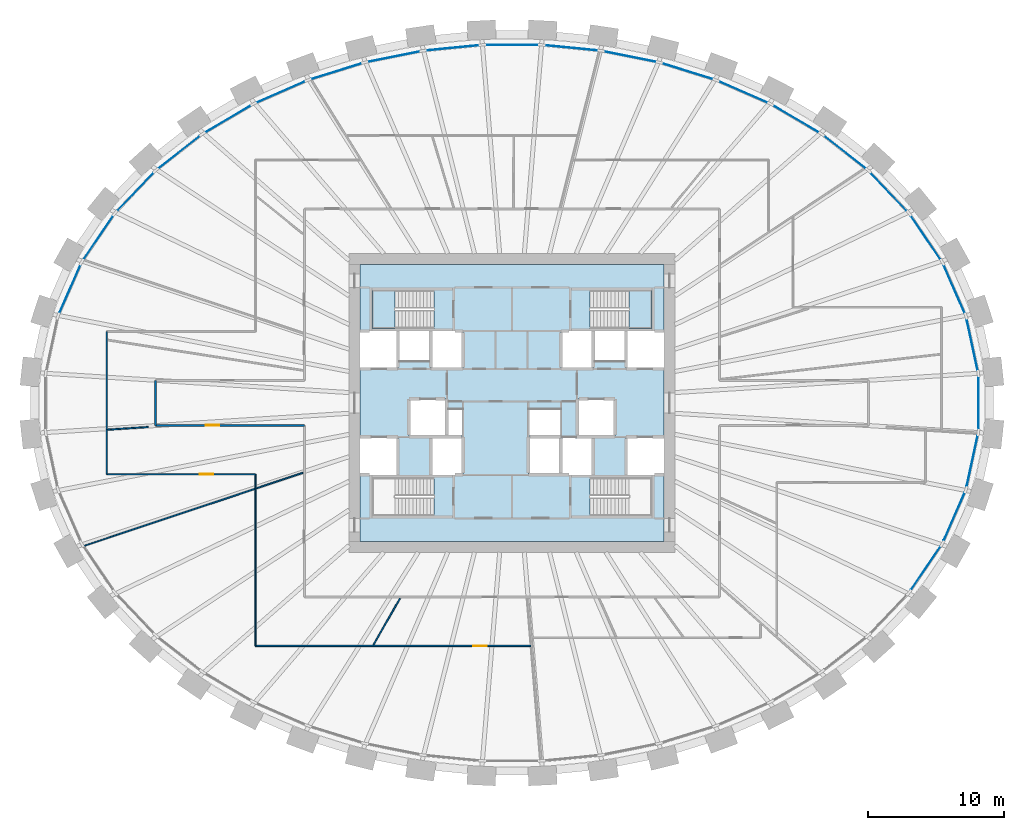
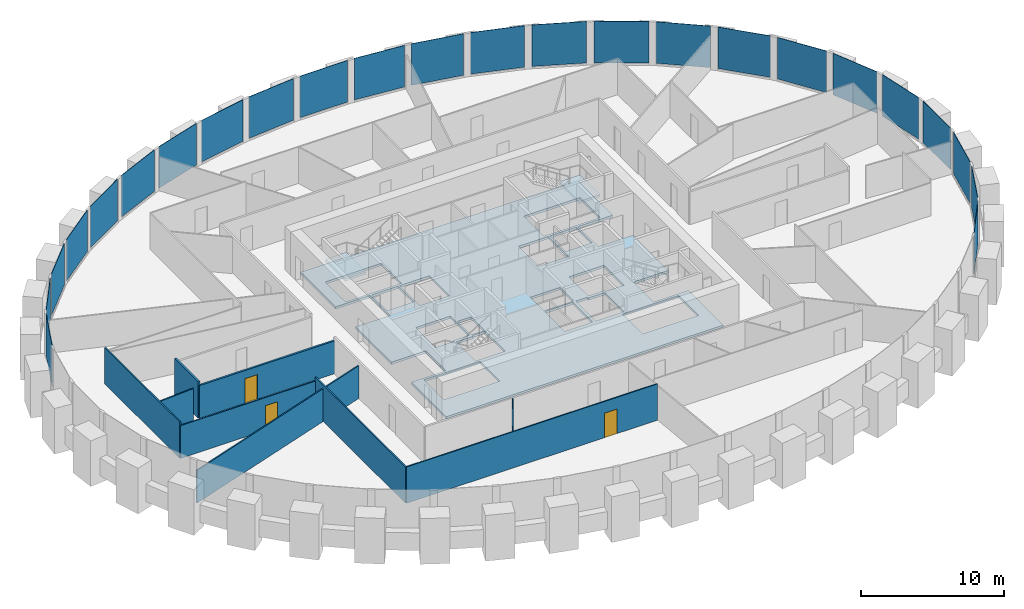
# One storey, part 5 of 11: 24 plates, 9 walls, 3 doors, 3 slabs, 3 openings, 3 elements without a shape of their own.
"""IFC4 building model written with IfcOpenShell, lengths in metres."""

from ifc_helpers import new_model, si_unit, direction, frame, frame_2d, origin, origin_2d, place, context, subcontext, project, spatial, polyline, rectangle, outline, extrude, source, transform, mapped, material, layer, layer_set, type_object, element, fill, aggregate, save


model = new_model("IFC4")

# Units and contexts
model_context = context("Model", 3, precision=1e-05, world=origin(), true_north=direction((0.0, 1.0)))
body_context = subcontext(model_context, "Body", "Model", "MODEL_VIEW")
ifc_project = project(units=[si_unit("LENGTHUNIT", "METRE"), si_unit("AREAUNIT", "SQUARE_METRE"), si_unit("VOLUMEUNIT", "CUBIC_METRE"), si_unit("PLANEANGLEUNIT", "RADIAN"), si_unit("MASSUNIT", "GRAM", prefix="KILO")], contexts=[model_context])

# Site, building, storey
site_placement = place(None, origin())
site = spatial("IfcSite", under=ifc_project, at=site_placement, CompositionType="ELEMENT")
building_placement = place(site_placement, origin())
building = spatial("IfcBuilding", under=site, at=building_placement, Name="Embergate Tower", CompositionType="ELEMENT")
storey_placement = place(building_placement, frame((0.0, 0.0, 211.199951171875)))
storey = spatial("IfcBuildingStorey", under=building, at=storey_placement, Name="L48", CompositionType="ELEMENT", Elevation=211.199951171875)

# Curtain wall, plates
ifc_material_1 = material(Name="Aluminium and glass", Category="aluminium")
curtain_wall_type = type_object("IfcCurtainWallType", Name="Recessed office glazing", PredefinedType="NOTDEFINED", material=ifc_material_1)
curtain_wall_placement = place(storey_placement, origin())
curtain_wall = element("IfcCurtainWall", 1, at=curtain_wall_placement, inside=storey, type_object=curtain_wall_type, Name="Recessed office glazing ring", ObjectType="RECESSED OFFICE GLAZING", PredefinedType="USERDEFINED")
ifc_material_2 = material(Name="Triple glazing, low-emissivity coating", Category="glass")
ifc_layer_1 = layer(ifc_material_2, 0.035888671875)
ifc_layer_set_1 = layer_set([ifc_layer_1], Name="Triple glazing, low-emissivity coating")
plate_type = type_object("IfcPlateType", Name="Office glazing unit", PredefinedType="CURTAIN_PANEL", material=ifc_layer_set_1)
shared_shape_1 = source(origin(), body_context, "Body", "SweptSolid", [
    extrude(rectangle(XDim=3.813232421875, YDim=0.035888671875, at=origin_2d()), origin(), (0.0, 0.0, 1.0), 3.550048828125),
])
plate_1_placement = place(storey_placement, frame((33.897216796875, 4.283447265625, 0.14990234375), z_axis=(0.0, 0.0, 1.0), x_axis=(-0.210394978653, 0.977616465163, 0.0)))
plate_1 = element("IfcPlate", 2, at=plate_1_placement, type_object=plate_type, Name="CW panel 1.1", PredefinedType="CURTAIN_PANEL", context=body_context, shape_type="MappedRepresentation", body=[
    mapped(shared_shape_1, transform((0.0, 0.0, 0.0))),
])
plate_2_placement = place(storey_placement, frame((33.897216796875, -4.283447265625, 0.14990234375), z_axis=(0.0, 0.0, 1.0), x_axis=(0.210394978653, 0.977616465163, 0.0)))
plate_2 = element("IfcPlate", 3, at=plate_2_placement, type_object=plate_type, Name="CW panel 43.1", PredefinedType="CURTAIN_PANEL", context=body_context, shape_type="MappedRepresentation", body=[
    mapped(shared_shape_1, transform((0.0, 0.0, 0.0))),
])
shared_shape_2 = source(origin(), body_context, "Body", "SweptSolid", [
    extrude(rectangle(XDim=3.820068359375, YDim=0.035888671875, at=origin_2d()), origin(), (0.0, 0.0, 1.0), 3.550048828125),
])
plate_3_placement = place(storey_placement, frame((32.569580078125, 8.388916015625, 0.14990234375), z_axis=(0.0, 0.0, 1.0), x_axis=(-0.401648904437, 0.915793730905, 0.0)))
plate_3 = element("IfcPlate", 4, at=plate_3_placement, type_object=plate_type, Name="CW panel 2.1", PredefinedType="CURTAIN_PANEL", context=body_context, shape_type="MappedRepresentation", body=[
    mapped(shared_shape_2, transform((0.0, 0.0, 0.0))),
])
plate_4_placement = place(storey_placement, frame((-32.569580078125, 8.388916015625, 0.14990234375), z_axis=(0.0, 0.0, 1.0), x_axis=(-0.401648904437, -0.915793730905, 0.0)))
plate_4 = element("IfcPlate", 5, at=plate_4_placement, type_object=plate_type, Name="CW panel 20.1", PredefinedType="CURTAIN_PANEL", context=body_context, shape_type="MappedRepresentation", body=[
    mapped(shared_shape_2, transform((0.0, 0.0, 0.0))),
])
plate_5_placement = place(storey_placement, frame((32.569580078125, -8.388916015625, 0.14990234375), z_axis=(0.0, 0.0, 1.0), x_axis=(0.401648904437, 0.915793730905, 0.0)))
plate_5 = element("IfcPlate", 6, at=plate_5_placement, type_object=plate_type, Name="CW panel 42.1", PredefinedType="CURTAIN_PANEL", context=body_context, shape_type="MappedRepresentation", body=[
    mapped(shared_shape_2, transform((0.0, 0.0, 0.0))),
])
shared_shape_3 = source(origin(), body_context, "Body", "SweptSolid", [
    extrude(rectangle(XDim=3.828857421875, YDim=0.035888671875, at=origin_2d()), origin(), (0.0, 0.0, 1.0), 3.550048828125),
])
plate_6_placement = place(storey_placement, frame((30.475341796875, 12.17431640625, 0.14990234375), z_axis=(0.0, 0.0, 1.0), x_axis=(-0.562337412243, 0.826907875638, 0.0)))
plate_6 = element("IfcPlate", 7, at=plate_6_placement, type_object=plate_type, Name="CW panel 3.1", PredefinedType="CURTAIN_PANEL", context=body_context, shape_type="MappedRepresentation", body=[
    mapped(shared_shape_3, transform((0.0, 0.0, 0.0))),
])
plate_7_placement = place(storey_placement, frame((-30.475341796875, 12.17431640625, 0.14990234375), z_axis=(0.0, 0.0, 1.0), x_axis=(-0.562337412243, -0.826907875638, 0.0)))
plate_7 = element("IfcPlate", 8, at=plate_7_placement, type_object=plate_type, Name="CW panel 19.1", PredefinedType="CURTAIN_PANEL", context=body_context, shape_type="MappedRepresentation", body=[
    mapped(shared_shape_3, transform((0.0, 0.0, 0.0))),
])
plate_8_placement = place(storey_placement, frame((30.475341796875, -12.17431640625, 0.14990234375), z_axis=(0.0, 0.0, 1.0), x_axis=(0.562337412243, 0.826907875638, 0.0)))
plate_8 = element("IfcPlate", 9, at=plate_8_placement, type_object=plate_type, Name="CW panel 41.1", PredefinedType="CURTAIN_PANEL", context=body_context, shape_type="MappedRepresentation", body=[
    mapped(shared_shape_3, transform((0.0, 0.0, 0.0))),
])
shared_shape_4 = source(origin(), body_context, "Body", "SweptSolid", [
    extrude(rectangle(XDim=3.83740234375, YDim=0.035888671875, at=origin_2d()), origin(), (0.0, 0.0, 1.0), 3.550048828125),
])
plate_9_placement = place(storey_placement, frame((27.748779296875, 15.549072265625, 0.14990234375), z_axis=(0.0, 0.0, 1.0), x_axis=(-0.690128732196, 0.72368662624, 0.0)))
plate_9 = element("IfcPlate", 10, at=plate_9_placement, type_object=plate_type, Name="CW panel 4.1", PredefinedType="CURTAIN_PANEL", context=body_context, shape_type="MappedRepresentation", body=[
    mapped(shared_shape_4, transform((0.0, 0.0, 0.0))),
])
plate_10_placement = place(storey_placement, frame((-27.748779296875, 15.549072265625, 0.14990234375), z_axis=(0.0, 0.0, 1.0), x_axis=(-0.690128732196, -0.72368662624, 0.0)))
plate_10 = element("IfcPlate", 11, at=plate_10_placement, type_object=plate_type, Name="CW panel 18.1", PredefinedType="CURTAIN_PANEL", context=body_context, shape_type="MappedRepresentation", body=[
    mapped(shared_shape_4, transform((0.0, 0.0, 0.0))),
])
shared_shape_5 = source(origin(), body_context, "Body", "SweptSolid", [
    extrude(rectangle(XDim=3.844970703125, YDim=0.035888671875, at=origin_2d()), origin(), (0.0, 0.0, 1.0), 3.550048828125),
])
plate_11_placement = place(storey_placement, frame((24.52490234375, 18.468505859375, 0.14990234375), z_axis=(0.0, 0.0, 1.0), x_axis=(-0.788315823873, 0.615270803656, 0.0)))
plate_11 = element("IfcPlate", 12, at=plate_11_placement, type_object=plate_type, Name="CW panel 5.1", PredefinedType="CURTAIN_PANEL", context=body_context, shape_type="MappedRepresentation", body=[
    mapped(shared_shape_5, transform((0.0, 0.0, 0.0))),
])
plate_12_placement = place(storey_placement, frame((-24.52490234375, 18.468505859375, 0.14990234375), z_axis=(0.0, 0.0, 1.0), x_axis=(-0.788315823873, -0.615270803656, 0.0)))
plate_12 = element("IfcPlate", 13, at=plate_12_placement, type_object=plate_type, Name="CW panel 17.1", PredefinedType="CURTAIN_PANEL", context=body_context, shape_type="MappedRepresentation", body=[
    mapped(shared_shape_5, transform((0.0, 0.0, 0.0))),
])
shared_shape_6 = source(origin(), body_context, "Body", "SweptSolid", [
    extrude(rectangle(XDim=3.850830078125, YDim=0.035888671875, at=origin_2d()), origin(), (0.0, 0.0, 1.0), 3.550048828125),
])
plate_13_placement = place(storey_placement, frame((20.920654296875, 20.9189453125, 0.14990234375), z_axis=(0.0, 0.0, 1.0), x_axis=(-0.862049629534, 0.506823871004, 0.0)))
plate_13 = element("IfcPlate", 14, at=plate_13_placement, type_object=plate_type, Name="CW panel 6.1", PredefinedType="CURTAIN_PANEL", context=body_context, shape_type="MappedRepresentation", body=[
    mapped(shared_shape_6, transform((0.0, 0.0, 0.0))),
])
plate_14_placement = place(storey_placement, frame((-20.920654296875, 20.9189453125, 0.14990234375), z_axis=(0.0, 0.0, 1.0), x_axis=(-0.862049629534, -0.506823871004, 0.0)))
plate_14 = element("IfcPlate", 15, at=plate_14_placement, type_object=plate_type, Name="CW panel 16.1", PredefinedType="CURTAIN_PANEL", context=body_context, shape_type="MappedRepresentation", body=[
    mapped(shared_shape_6, transform((0.0, 0.0, 0.0))),
])
shared_shape_7 = source(origin(), body_context, "Body", "SweptSolid", [
    extrude(rectangle(XDim=3.855224609375, YDim=0.035888671875, at=origin_2d()), origin(), (0.0, 0.0, 1.0), 3.550048828125),
])
plate_15_placement = place(storey_placement, frame((17.0322265625, 22.903076171875, 0.14990234375), z_axis=(0.0, 0.0, 1.0), x_axis=(-0.916233414734, 0.400644892298, 0.0)))
plate_15 = element("IfcPlate", 16, at=plate_15_placement, type_object=plate_type, Name="CW panel 7.1", PredefinedType="CURTAIN_PANEL", context=body_context, shape_type="MappedRepresentation", body=[
    mapped(shared_shape_7, transform((0.0, 0.0, 0.0))),
])
plate_16_placement = place(storey_placement, frame((-17.0322265625, 22.903076171875, 0.14990234375), z_axis=(0.0, 0.0, 1.0), x_axis=(-0.916233414734, -0.400644892298, 0.0)))
plate_16 = element("IfcPlate", 17, at=plate_16_placement, type_object=plate_type, Name="CW panel 15.1", PredefinedType="CURTAIN_PANEL", context=body_context, shape_type="MappedRepresentation", body=[
    mapped(shared_shape_7, transform((0.0, 0.0, 0.0))),
])
shared_shape_8 = source(origin(), body_context, "Body", "SweptSolid", [
    extrude(rectangle(XDim=3.8583984375, YDim=0.035888671875, at=origin_2d()), origin(), (0.0, 0.0, 1.0), 3.550048828125),
])
plate_17_placement = place(storey_placement, frame((12.9375, 24.430419921875, 0.14990234375), z_axis=(0.0, 0.0, 1.0), x_axis=(-0.954770660302, 0.297343212847, 0.0)))
plate_17 = element("IfcPlate", 18, at=plate_17_placement, type_object=plate_type, Name="CW panel 8.1", PredefinedType="CURTAIN_PANEL", context=body_context, shape_type="MappedRepresentation", body=[
    mapped(shared_shape_8, transform((0.0, 0.0, 0.0))),
])
plate_18_placement = place(storey_placement, frame((-12.9375, 24.430419921875, 0.14990234375), z_axis=(0.0, 0.0, 1.0), x_axis=(-0.954770660302, -0.297343212847, 0.0)))
plate_18 = element("IfcPlate", 19, at=plate_18_placement, type_object=plate_type, Name="CW panel 14.1", PredefinedType="CURTAIN_PANEL", context=body_context, shape_type="MappedRepresentation", body=[
    mapped(shared_shape_8, transform((0.0, 0.0, 0.0))),
])
shared_shape_9 = source(origin(), body_context, "Body", "SweptSolid", [
    extrude(rectangle(XDim=3.860595703125, YDim=0.035888671875, at=origin_2d()), origin(), (0.0, 0.0, 1.0), 3.550048828125),
])
plate_19_placement = place(storey_placement, frame((8.69970703125, 25.51220703125, 0.14990234375), z_axis=(0.0, 0.0, 1.0), x_axis=(-0.980475221003, 0.196642673395, 0.0)))
plate_19 = element("IfcPlate", 20, at=plate_19_placement, type_object=plate_type, Name="CW panel 9.1", PredefinedType="CURTAIN_PANEL", context=body_context, shape_type="MappedRepresentation", body=[
    mapped(shared_shape_9, transform((0.0, 0.0, 0.0))),
])
plate_20_placement = place(storey_placement, frame((-8.69970703125, 25.51220703125, 0.14990234375), z_axis=(0.0, 0.0, 1.0), x_axis=(-0.980475221003, -0.196642673395, 0.0)))
plate_20 = element("IfcPlate", 21, at=plate_20_placement, type_object=plate_type, Name="CW panel 13.1", PredefinedType="CURTAIN_PANEL", context=body_context, shape_type="MappedRepresentation", body=[
    mapped(shared_shape_9, transform((0.0, 0.0, 0.0))),
])
shared_shape_10 = source(origin(), body_context, "Body", "SweptSolid", [
    extrude(rectangle(XDim=3.862060546875, YDim=0.035888671875, at=origin_2d()), origin(), (0.0, 0.0, 1.0), 3.550048828125),
])
plate_21_placement = place(storey_placement, frame((4.37158203125, 26.1572265625, 0.14990234375), z_axis=(0.0, 0.0, 1.0), x_axis=(-0.995203014042, 0.097831287645, 0.0)))
plate_21 = element("IfcPlate", 22, at=plate_21_placement, type_object=plate_type, Name="CW panel 10.1", PredefinedType="CURTAIN_PANEL", context=body_context, shape_type="MappedRepresentation", body=[
    mapped(shared_shape_10, transform((0.0, 0.0, 0.0))),
])
plate_22_placement = place(storey_placement, frame((-4.37158203125, 26.1572265625, 0.14990234375), z_axis=(0.0, 0.0, 1.0), x_axis=(-0.995203014042, -0.097831287645, 0.0)))
plate_22 = element("IfcPlate", 23, at=plate_22_placement, type_object=plate_type, Name="CW panel 12.1", PredefinedType="CURTAIN_PANEL", context=body_context, shape_type="MappedRepresentation", body=[
    mapped(shared_shape_10, transform((0.0, 0.0, 0.0))),
])
shared_shape_11 = source(origin(), body_context, "Body", "SweptSolid", [
    extrude(rectangle(XDim=3.8623046875, YDim=0.035888671875, at=origin_2d()), origin(), (0.0, 0.0, 1.0), 3.550048828125),
])
plate_23_placement = place(storey_placement, frame((0.0, 26.37158203125, 0.14990234375), z_axis=(0.0, 0.0, 1.0), x_axis=(-1.0, 0.0, 0.0)))
plate_23 = element("IfcPlate", 24, at=plate_23_placement, type_object=plate_type, Name="CW panel 11.1", PredefinedType="CURTAIN_PANEL", context=body_context, shape_type="MappedRepresentation", body=[
    mapped(shared_shape_11, transform((0.0, 0.0, 0.0))),
])
shared_shape_12 = source(origin(), body_context, "Body", "SweptSolid", [
    extrude(rectangle(XDim=3.810546875, YDim=0.035888671875, at=origin_2d()), origin(), (0.0, 0.0, 1.0), 3.550048828125),
])
plate_24_placement = place(storey_placement, frame((34.35302734375, 0.0, 0.14990234375), z_axis=(0.0, 0.0, 1.0), x_axis=(0.0, 1.0, 0.0)))
plate_24 = element("IfcPlate", 25, at=plate_24_placement, type_object=plate_type, Name="CW panel 44.1", PredefinedType="CURTAIN_PANEL", context=body_context, shape_type="MappedRepresentation", body=[
    mapped(shared_shape_12, transform((0.0, 0.0, 0.0))),
])
aggregate(curtain_wall, [plate_1, plate_3, plate_6, plate_9, plate_11, plate_13, plate_15, plate_17, plate_19, plate_21, plate_23, plate_22, plate_20, plate_18, plate_16, plate_14, plate_12, plate_10, plate_7, plate_4, plate_8, plate_5, plate_2, plate_24])

# Stair, slab
ifc_material_3 = material(Name="Exit stair")
stair_type = type_object("IfcStairType", Name="Exit stair", PredefinedType="HALF_TURN_STAIR", material=ifc_material_3)
stair_1_placement = place(storey_placement, origin())
stair_1 = element("IfcStair", 26, at=stair_1_placement, inside=storey, type_object=stair_type, Name="L48 Exit stair 1", PredefinedType="HALF_TURN_STAIR")
ifc_material_4 = material(Name="Concrete C40", Category="concrete")
ifc_layer_2 = layer(ifc_material_4, 0.199951171875)
ifc_layer_set_2 = layer_set([ifc_layer_2], Name="Concrete C40")
slab_type_1 = type_object("IfcSlabType", Name="Stair landing reinforced concrete", PredefinedType="LANDING", material=ifc_layer_set_2)
shared_shape_13 = source(origin(), body_context, "Body", "SweptSolid", [
    extrude(outline(polyline([(0.0, 0.0), (1.68994140625, 0.0), (1.68994140625, 2.800048828125), (0.0, 2.800048828125), (0.0, 0.0)])), origin(), (0.0, 0.0, 1.0), 0.199951171875),
])
slab_1_placement = place(storey_placement, frame((-10.300048828125, 5.5, 1.75)))
slab_1 = element("IfcSlab", 27, at=slab_1_placement, type_object=slab_type_1, Name="ST1 landing 1", PredefinedType="LANDING", context=body_context, shape_type="MappedRepresentation", body=[
    mapped(shared_shape_13, transform((0.0, 0.0, 0.0))),
])
aggregate(stair_1, [slab_1])

stair_2_placement = place(storey_placement, origin())
stair_2 = element("IfcStair", 28, at=stair_2_placement, inside=storey, type_object=stair_type, Name="L48 Exit stair 2", PredefinedType="HALF_TURN_STAIR")
slab_2_placement = place(storey_placement, frame((8.610107421875, 5.5, 1.75)))
slab_2 = element("IfcSlab", 29, at=slab_2_placement, type_object=slab_type_1, Name="ST2 landing 1", PredefinedType="LANDING", context=body_context, shape_type="MappedRepresentation", body=[
    mapped(shared_shape_13, transform((0.0, 0.0, 0.0))),
])
aggregate(stair_2, [slab_2])

# Slab
ifc_layer_3 = layer(ifc_material_4, 0.199951171875)
ifc_layer_set_3 = layer_set([ifc_layer_3], Name="Concrete C40")
slab_type_2 = type_object("IfcSlabType", Name="Core floor slab 200 reinforced concrete", PredefinedType="FLOOR", material=ifc_layer_set_3)
shared_shape_14 = source(origin(), body_context, "Body", "SweptSolid", [
    extrude(outline(polyline([(0.0, 0.0), (22.39990234375, 0.0), (22.39990234375, 4.89990234375), (19.599853515625, 4.89990234375), (19.599853515625, 7.699951171875), (22.39990234375, 7.699951171875), (22.39990234375, 12.699951171875), (19.599853515625, 12.699951171875), (19.599853515625, 15.5), (22.39990234375, 15.5), (22.39990234375, 20.39990234375), (0.0, 20.39990234375), (0.0, 15.5), (2.800048828125, 15.5), (2.800048828125, 12.699951171875), (0.0, 12.699951171875), (0.0, 7.699951171875), (2.800048828125, 7.699951171875), (2.800048828125, 4.89990234375), (0.0, 4.89990234375), (0.0, 0.0)]), holes=[polyline([(0.89990234375, 1.89990234375), (0.89990234375, 4.699951171875), (5.43994140625, 4.699951171875), (5.43994140625, 1.89990234375), (0.89990234375, 1.89990234375)]), polyline([(16.9599609375, 1.89990234375), (16.9599609375, 4.699951171875), (21.5, 4.699951171875), (21.5, 1.89990234375), (16.9599609375, 1.89990234375)]), polyline([(5.199951171875, 4.89990234375), (5.199951171875, 7.574951171875), (6.52490234375, 7.574951171875), (6.52490234375, 7.699951171875), (7.599853515625, 7.699951171875), (7.599853515625, 4.89990234375), (5.199951171875, 4.89990234375)]), polyline([(12.39990234375, 4.89990234375), (12.39990234375, 7.699951171875), (14.675048828125, 7.699951171875), (14.675048828125, 4.89990234375), (12.39990234375, 4.89990234375)]), polyline([(14.925048828125, 4.89990234375), (14.925048828125, 7.699951171875), (15.875, 7.699951171875), (15.875, 7.574951171875), (17.199951171875, 7.574951171875), (17.199951171875, 4.89990234375), (14.925048828125, 4.89990234375)]), polyline([(3.599853515625, 7.699951171875), (3.599853515625, 10.5), (6.39990234375, 10.5), (6.39990234375, 7.824951171875), (5.074951171875, 7.824951171875), (5.074951171875, 7.699951171875), (3.599853515625, 7.699951171875)]), polyline([(17.324951171875, 7.699951171875), (17.324951171875, 7.824951171875), (16.0, 7.824951171875), (16.0, 10.5), (18.800048828125, 10.5), (18.800048828125, 7.699951171875), (17.324951171875, 7.699951171875)]), polyline([(6.52490234375, 7.824951171875), (6.52490234375, 9.699951171875), (7.599853515625, 9.699951171875), (7.599853515625, 7.824951171875), (6.52490234375, 7.824951171875)]), polyline([(12.39990234375, 7.824951171875), (12.39990234375, 9.699951171875), (14.800048828125, 9.699951171875), (14.800048828125, 7.824951171875), (14.675048828125, 7.824951171875), (12.39990234375, 7.824951171875)]), polyline([(5.199951171875, 12.699951171875), (5.199951171875, 15.5), (7.599853515625, 15.5), (7.599853515625, 12.699951171875), (5.199951171875, 12.699951171875)]), polyline([(14.800048828125, 12.699951171875), (14.800048828125, 15.5), (17.199951171875, 15.5), (17.199951171875, 12.699951171875), (14.800048828125, 12.699951171875)]), polyline([(2.925048828125, 13.300048828125), (2.925048828125, 15.5), (5.074951171875, 15.5), (5.074951171875, 13.300048828125), (2.925048828125, 13.300048828125)]), polyline([(17.324951171875, 13.300048828125), (17.324951171875, 15.5), (19.474853515625, 15.5), (19.474853515625, 13.300048828125), (17.324951171875, 13.300048828125)]), polyline([(0.89990234375, 15.699951171875), (0.89990234375, 18.5), (5.43994140625, 18.5), (5.43994140625, 15.699951171875), (0.89990234375, 15.699951171875)]), polyline([(16.9599609375, 15.699951171875), (16.9599609375, 18.5), (21.5, 18.5), (21.5, 15.699951171875), (16.9599609375, 15.699951171875)])]), origin(), (0.0, 0.0, 1.0), 0.199951171875),
])
slab_3_placement = place(storey_placement, frame((-11.199951171875, -10.199951171875, -0.199951171875)))
element("IfcSlab", 30, at=slab_3_placement, inside=storey, type_object=slab_type_2, Name="Core floor slab", PredefinedType="FLOOR", context=body_context, shape_type="MappedRepresentation", body=[
    mapped(shared_shape_14, transform((0.0, 0.0, 0.0))),
])

# Wall, opening, door
ifc_material_5 = material(Name="Corridor wall dry-lined 150")
ifc_layer_4 = layer(ifc_material_5, 0.14990234375)
ifc_layer_set_4 = layer_set([ifc_layer_4], Name="Corridor wall dry-lined 150")
wall_type_1 = type_object("IfcWallType", Name="Corridor wall dry-lined 150", PredefinedType="PARTITIONING", material=ifc_layer_set_4)
shared_shape_15 = source(origin(), body_context, "Body", "SweptSolid", [
    extrude(rectangle(XDim=10.949951171875, YDim=0.14990234375, at=frame_2d((5.47509765625, 0.0))), origin(), (0.0, 0.0, 1.0), 2.800048828125),
])
wall_1_placement = place(storey_placement, frame((-26.25, -1.64990234375, 0.0), z_axis=(0.0, 0.0, 1.0), x_axis=(1.0, 0.0, 0.0)))
wall_1 = element("IfcWall", 31, at=wall_1_placement, inside=storey, type_object=wall_type_1, Name="IP-2 wall", PredefinedType="PARTITIONING", context=body_context, shape_type="MappedRepresentation", body=[
    mapped(shared_shape_15, transform((0.0, 0.0, 0.0))),
])
shared_shape_16 = source(origin(), body_context, "Body", "SweptSolid", [
    extrude(rectangle(XDim=1.0, YDim=2.10009765625, at=frame_2d((0.5, 1.050048828125))), frame((0.0, 0.0849609375, 0.0), z_axis=(0.0, -1.0, 0.0), x_axis=(1.0, 0.0, 0.0)), (0.0, 0.0, 1.0), 0.169921875),
])
opening_1_placement = place(wall_1_placement, frame((3.68310546875, 0.0, 0.0)))
opening_1 = element("IfcOpeningElement", 32, at=opening_1_placement, cuts=wall_1, Name="Opening ID-2", PredefinedType="OPENING", context=body_context, shape_type="MappedRepresentation", body=[
    mapped(shared_shape_16, transform((0.0, 0.0, 0.0))),
])
ifc_material_6 = material(Name="Interior door 1000")
door_type = type_object("IfcDoorType", Name="Interior door 1000", OperationType="SINGLE_SWING_LEFT", PredefinedType="DOOR", material=ifc_material_6)
shared_shape_17 = source(origin(), body_context, "Body", "SweptSolid", [
    extrude(rectangle(XDim=1.0, YDim=2.10009765625, at=frame_2d((0.5, 1.050048828125))), frame((0.0, 0.02490234375, 0.0), z_axis=(0.0, -1.0, 0.0), x_axis=(1.0, 0.0, 0.0)), (0.0, 0.0, 1.0), 0.050048828125),
])
door_1_placement = place(opening_1_placement, origin())
door_1 = element("IfcDoor", 33, at=door_1_placement, inside=storey, type_object=door_type, Name="ID-2 door", OperationType="SINGLE_SWING_LEFT", OverallHeight=2.10009765625, OverallWidth=1.0, PredefinedType="DOOR", context=body_context, shape_type="MappedRepresentation", body=[
    mapped(shared_shape_17, transform((0.0, 0.0, 0.0))),
])
fill(opening_1, door_1)

ifc_material_7 = material(Name="Partition dry-lined 100")
ifc_layer_5 = layer(ifc_material_7, 0.10009765625)
ifc_layer_set_5 = layer_set([ifc_layer_5], Name="Partition dry-lined 100")
wall_type_2 = type_object("IfcWallType", Name="Partition dry-lined 100", PredefinedType="PARTITIONING", material=ifc_layer_set_5)
shared_shape_18 = source(origin(), body_context, "Body", "SweptSolid", [
    extrude(rectangle(XDim=10.9501953125, YDim=0.10009765625, at=frame_2d((5.47509765625, 0.0))), origin(), (0.0, 0.0, 1.0), 2.800048828125),
])
wall_2_placement = place(storey_placement, frame((-18.89990234375, -5.25, 0.0), z_axis=(0.0, 0.0, 1.0), x_axis=(-1.0, 0.0, 0.0)))
wall_2 = element("IfcWall", 34, at=wall_2_placement, inside=storey, type_object=wall_type_2, Name="IP-1 wall", PredefinedType="PARTITIONING", context=body_context, shape_type="MappedRepresentation", body=[
    mapped(shared_shape_18, transform((0.0, 0.0, 0.0))),
])
shared_shape_19 = source(origin(), body_context, "Body", "SweptSolid", [
    extrude(rectangle(XDim=1.0, YDim=2.10009765625, at=frame_2d((0.5, 1.050048828125))), frame((0.0, 0.06005859375, 0.0), z_axis=(0.0, -1.0, 0.0), x_axis=(1.0, 0.0, 0.0)), (0.0, 0.0, 1.0), 0.1201171875),
])
opening_2_placement = place(wall_2_placement, frame((3.10498046875, 0.0, 0.0)))
opening_2 = element("IfcOpeningElement", 35, at=opening_2_placement, cuts=wall_2, Name="Opening ID-2", PredefinedType="OPENING", context=body_context, shape_type="MappedRepresentation", body=[
    mapped(shared_shape_19, transform((0.0, 0.0, 0.0))),
])
door_2_placement = place(opening_2_placement, origin())
door_2 = element("IfcDoor", 36, at=door_2_placement, inside=storey, type_object=door_type, Name="ID-2 door", OperationType="SINGLE_SWING_LEFT", OverallHeight=2.10009765625, OverallWidth=1.0, PredefinedType="DOOR", context=body_context, shape_type="MappedRepresentation", body=[
    mapped(shared_shape_17, transform((0.0, 0.0, 0.0))),
])
fill(opening_2, door_2)

# Walls
shared_shape_20 = source(origin(), body_context, "Body", "SweptSolid", [
    extrude(rectangle(XDim=3.2998046875, YDim=0.14990234375, at=frame_2d((1.64990234375, 0.0))), origin(), (0.0, 0.0, 1.0), 3.10009765625),
])
wall_3_placement = place(storey_placement, frame((-26.25, 1.64990234375, 0.0), z_axis=(0.0, 0.0, 1.0), x_axis=(0.0, -1.0, 0.0)))
element("IfcWall", 37, at=wall_3_placement, inside=storey, type_object=wall_type_1, Name="IP-2 wall", PredefinedType="PARTITIONING", context=body_context, shape_type="MappedRepresentation", body=[
    mapped(shared_shape_20, transform((0.0, 0.0, 0.0))),
])
shared_shape_21 = source(origin(), body_context, "Body", "SweptSolid", [
    extrude(rectangle(XDim=3.947265625, YDim=0.10009765625, at=frame_2d((1.9736328125, 0.0))), origin(), (0.0, 0.0, 1.0), 3.10009765625),
])
wall_4_placement = place(storey_placement, frame((-8.2490234375, -14.39990234375, 0.0), z_axis=(0.0, 0.0, 1.0), x_axis=(-0.497044565663, -0.867725013898, 0.0)))
element("IfcWall", 38, at=wall_4_placement, inside=storey, type_object=wall_type_2, Name="IP-1 wall", PredefinedType="PARTITIONING", context=body_context, shape_type="MappedRepresentation", body=[
    mapped(shared_shape_21, transform((0.0, 0.0, 0.0))),
])
shared_shape_22 = source(origin(), body_context, "Body", "SweptSolid", [
    extrude(rectangle(XDim=17.070556640625, YDim=0.10009765625, at=frame_2d((8.53515625, 0.0))), origin(), (0.0, 0.0, 1.0), 2.800048828125),
])
wall_5_placement = place(storey_placement, frame((-31.58203125, -10.550048828125, 0.0), z_axis=(0.0, 0.0, 1.0), x_axis=(0.948472850585, 0.316858409552, 0.0)))
element("IfcWall", 39, at=wall_5_placement, inside=storey, type_object=wall_type_2, Name="IP-1 wall", PredefinedType="PARTITIONING", context=body_context, shape_type="MappedRepresentation", body=[
    mapped(shared_shape_22, transform((0.0, 0.0, 0.0))),
])
shared_shape_23 = source(origin(), body_context, "Body", "SweptSolid", [
    extrude(rectangle(XDim=12.64990234375, YDim=0.10009765625, at=frame_2d((6.324951171875, 0.0))), origin(), (0.0, 0.0, 1.0), 3.10009765625),
])
wall_6_placement = place(storey_placement, frame((-18.89990234375, -5.25, 0.0), z_axis=(0.0, 0.0, 1.0), x_axis=(0.0, -1.0, 0.0)))
element("IfcWall", 40, at=wall_6_placement, inside=storey, type_object=wall_type_2, Name="IP-1 wall", PredefinedType="PARTITIONING", context=body_context, shape_type="MappedRepresentation", body=[
    mapped(shared_shape_23, transform((0.0, 0.0, 0.0))),
])

# Wall, opening, door
shared_shape_24 = source(origin(), body_context, "Body", "SweptSolid", [
    extrude(rectangle(XDim=20.31298828125, YDim=0.10009765625, at=frame_2d((10.156494140625, 0.0))), origin(), (0.0, 0.0, 1.0), 3.10009765625),
])
wall_7_placement = place(storey_placement, frame((-18.89990234375, -17.89990234375, 0.0), z_axis=(0.0, 0.0, 1.0), x_axis=(1.0, 0.0, 0.0)))
wall_7 = element("IfcWall", 41, at=wall_7_placement, inside=storey, type_object=wall_type_2, Name="IP-1 wall", PredefinedType="PARTITIONING", context=body_context, shape_type="MappedRepresentation", body=[
    mapped(shared_shape_24, transform((0.0, 0.0, 0.0))),
])
opening_3_placement = place(wall_7_placement, frame((16.028076171875, 0.0, 0.0)))
opening_3 = element("IfcOpeningElement", 42, at=opening_3_placement, cuts=wall_7, Name="Opening ID-2", PredefinedType="OPENING", context=body_context, shape_type="MappedRepresentation", body=[
    mapped(shared_shape_19, transform((0.0, 0.0, 0.0))),
])
door_3_placement = place(opening_3_placement, origin())
door_3 = element("IfcDoor", 43, at=door_3_placement, inside=storey, type_object=door_type, Name="ID-2 door", OperationType="SINGLE_SWING_LEFT", OverallHeight=2.10009765625, OverallWidth=1.0, PredefinedType="DOOR", context=body_context, shape_type="MappedRepresentation", body=[
    mapped(shared_shape_17, transform((0.0, 0.0, 0.0))),
])
fill(opening_3, door_3)

# Walls
shared_shape_25 = source(origin(), body_context, "Body", "SweptSolid", [
    extrude(rectangle(XDim=10.5, YDim=0.10009765625, at=frame_2d((5.25, 0.0))), origin(), (0.0, 0.0, 1.0), 3.10009765625),
])
wall_8_placement = place(storey_placement, frame((-29.85009765625, -5.25, 0.0), z_axis=(0.0, 0.0, 1.0), x_axis=(0.0, 1.0, 0.0)))
element("IfcWall", 44, at=wall_8_placement, inside=storey, type_object=wall_type_2, Name="IP-1 wall", PredefinedType="PARTITIONING", context=body_context, shape_type="MappedRepresentation", body=[
    mapped(shared_shape_25, transform((0.0, 0.0, 0.0))),
])
shared_shape_26 = source(origin(), body_context, "Body", "SweptSolid", [
    extrude(rectangle(XDim=3.0185546875, YDim=0.10009765625, at=frame_2d((1.50927734375, 0.0))), origin(), (0.0, 0.0, 1.0), 2.800048828125),
])
wall_9_placement = place(storey_placement, frame((-26.7880859375, -1.77490234375, 0.0), z_axis=(0.0, 0.0, 1.0), x_axis=(-0.997819736078, -0.065998290074, 0.0)))
element("IfcWall", 45, at=wall_9_placement, inside=storey, type_object=wall_type_2, Name="IP-1 wall", PredefinedType="PARTITIONING", context=body_context, shape_type="MappedRepresentation", body=[
    mapped(shared_shape_26, transform((0.0, 0.0, 0.0))),
])

save(model, "model.ifc")
